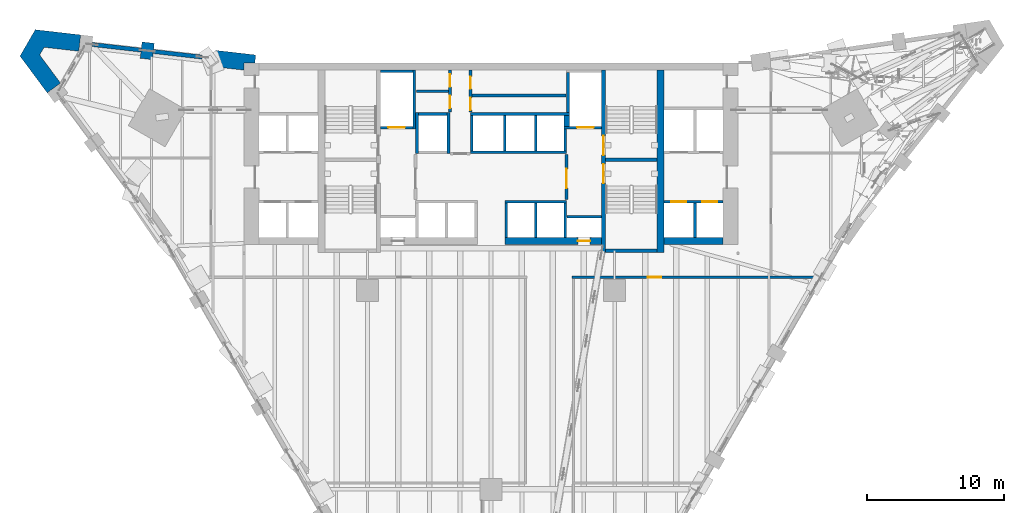
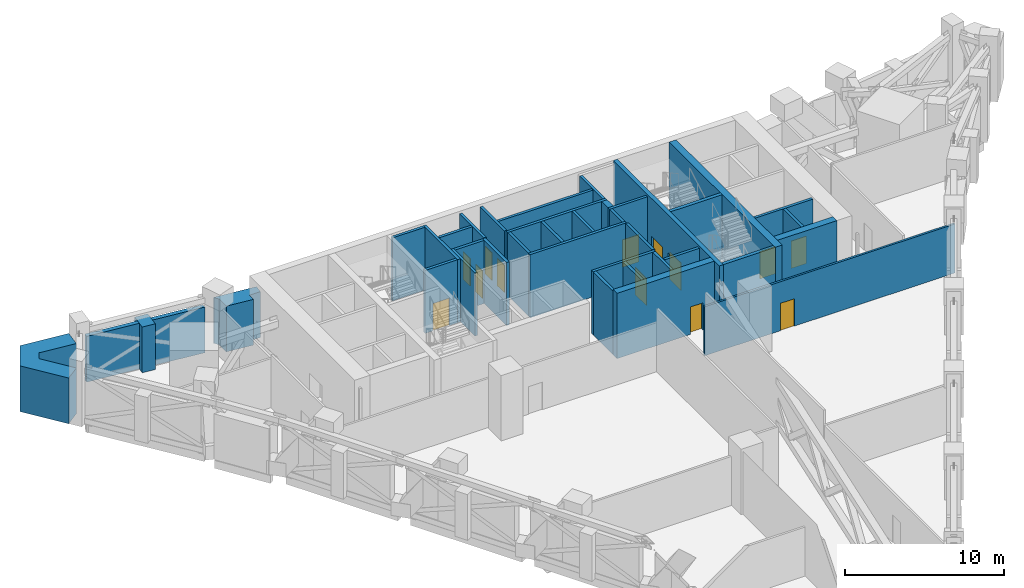
# One storey, part 11 of 22: 39 walls, 13 doors, 13 openings.
"""IFC4 building model written with IfcOpenShell, lengths in metres."""

from ifc_helpers import new_model, si_unit, direction, frame, frame_2d, origin, place, context, subcontext, project, spatial, polyline, rectangle, outline, extrude, material, layer, layer_set, type_object, element, fill, save


model = new_model("IFC4")

# Units and contexts
model_context = context("Model", 3, precision=1e-05, world=origin(), true_north=direction((0.0, 1.0)))
body_context = subcontext(model_context, "Body", "Model", "MODEL_VIEW")
ifc_project = project(units=[si_unit("LENGTHUNIT", "METRE"), si_unit("AREAUNIT", "SQUARE_METRE"), si_unit("VOLUMEUNIT", "CUBIC_METRE"), si_unit("PLANEANGLEUNIT", "RADIAN"), si_unit("MASSUNIT", "GRAM", prefix="KILO")], contexts=[model_context])

# Site, building, storey
site_placement = place(None, origin())
site = spatial("IfcSite", under=ifc_project, at=site_placement, CompositionType="ELEMENT")
building_placement = place(site_placement, origin())
building = spatial("IfcBuilding", under=site, at=building_placement, Name="Calabash Gate Tower", CompositionType="ELEMENT")
storey_placement = place(building_placement, frame((0.0, 0.0, 86.800048828125)))
storey = spatial("IfcBuildingStorey", under=building, at=storey_placement, Name="L18", CompositionType="ELEMENT", Elevation=86.800048828125)

# Walls
ifc_material_1 = material(Name="Terracotta brick masonry, exposed face", Category="masonry")
ifc_layer_1 = layer(ifc_material_1, 1.199951171875)
ifc_layer_set_1 = layer_set([ifc_layer_1], Name="Brick end wall 1200")
wall_type_1 = type_object("IfcWallType", Name="Brick end wall 1200", PredefinedType="SOLIDWALL", material=ifc_layer_set_1)
wall_1_placement = place(storey_placement, frame((-25.1162109375, 19.35400390625, 0.0), z_axis=(0.0, 0.0, 1.0), x_axis=(0.113735952551, 0.993511013073, 0.0)))
element("IfcWall", 1, at=wall_1_placement, inside=storey, type_object=wall_type_1, Name="Brick pier L18 wedge7.1", PredefinedType="SOLIDWALL", context=body_context, shape_type="SweptSolid", body=[
    extrude(rectangle(XDim=1.199951171875, YDim=0.89990234375, at=frame_2d((0.60009765625, 0.0))), origin(), (0.0, 0.0, 1.0), 3.5),
])
wall_2_placement = place(storey_placement, origin())
element("IfcWall", 2, at=wall_2_placement, inside=storey, type_object=wall_type_1, Name="Brick end wall L18 5", PredefinedType="SOLIDWALL", context=body_context, shape_type="SweptSolid", body=[
    extrude(outline(polyline([(-19.85302734375, 18.751220703125), (-18.0, 18.5390625), (-18.0, 19.052490234375), (-17.2099609375, 19.052490234375), (-17.141845703125, 19.648681640625), (-20.061767578125, 19.983154296875), (-20.0654296875, 19.951416015625), (-19.85302734375, 19.653076171875), (-19.85302734375, 18.751220703125)])), origin(), (0.0, 0.0, 1.0), 3.5),
])
wall_3_placement = place(storey_placement, origin())
element("IfcWall", 3, at=wall_3_placement, inside=storey, type_object=wall_type_1, Name="Brick end wall L18 6", PredefinedType="SOLIDWALL", context=body_context, shape_type="SweptSolid", body=[
    extrude(outline(polyline([(-29.8974609375, 21.109375), (-33.208740234375, 21.48876953125), (-34.319091796875, 19.5654296875), (-32.335205078125, 16.887451171875), (-31.370849609375, 17.601806640625), (-32.88623046875, 19.647216796875), (-32.56298828125, 20.206787109375), (-30.034423828125, 19.917236328125), (-29.8974609375, 21.109375)])), origin(), (0.0, 0.0, 1.0), 3.5),
])
ifc_material_2 = material(Name="Concrete C80/95", Category="concrete")
ifc_layer_2 = layer(ifc_material_2, 0.25)
ifc_layer_set_2 = layer_set([ifc_layer_2], Name="Core wall 250 Concrete C80/95")
wall_type_2 = type_object("IfcWallType", Name="Core wall 250 Concrete C80/95", PredefinedType="SHEAR", material=ifc_layer_set_2)
for number, where, z_axis, x_axis, name in (
    (4, (8.35009765625, 12.027587890625, 0.0), (0.0, 0.0, 1.0), (1.0, 0.0, 0.0), "Core wall Z1-MIDE L18"),
    (5, (8.35009765625, 5.377685546875, 0.0), (0.0, 0.0, 1.0), (1.0, 0.0, 0.0), "Core wall Z1-SSE L18"),
):
    element("IfcWall", number, at=place(storey_placement, frame(where, z_axis=z_axis, x_axis=x_axis)), inside=storey, type_object=wall_type_2, Name=name, PredefinedType="SHEAR", context=body_context, shape_type="SweptSolid", body=[
        extrude(rectangle(XDim=3.75, YDim=0.25, at=frame_2d((1.875, 0.0))), origin(), (0.0, 0.0, 1.0), 5.0),
    ])

# Wall, openings, doors
ifc_material_3 = material(Name="Concrete C80/95", Category="concrete")
ifc_layer_3 = layer(ifc_material_3, 0.300048828125)
ifc_layer_set_3 = layer_set([ifc_layer_3], Name="Core wall 300 Concrete C80/95")
wall_type_3 = type_object("IfcWallType", Name="Core wall 300 Concrete C80/95", PredefinedType="SHEAR", material=ifc_layer_set_3)
wall_4_placement = place(storey_placement, frame((8.199951171875, 5.252685546875, 0.0), z_axis=(0.0, 0.0, 1.0), x_axis=(0.0, 1.0, 0.0)))
wall_4 = element("IfcWall", 6, at=wall_4_placement, inside=storey, type_object=wall_type_3, Name="Core wall Z1-PARTE L18", PredefinedType="SHEAR", context=body_context, shape_type="SweptSolid", body=[
    extrude(rectangle(XDim=13.2998046875, YDim=0.300048828125, at=frame_2d((6.64990234375, 0.0))), origin(), (0.0, 0.0, 1.0), 5.0),
])
opening_1_placement = place(wall_4_placement, frame((7.10009765625, 0.0, 0.0)))
opening_1 = element("IfcOpeningElement", 7, at=opening_1_placement, cuts=wall_4, Name="Opening L18-003", PredefinedType="OPENING", context=body_context, shape_type="SweptSolid", body=[
    extrude(rectangle(XDim=1.39990234375, YDim=2.10009765625, at=frame_2d((0.699951171875, 1.050048828125))), frame((0.0, 0.159912109375, 0.0), z_axis=(0.0, -1.0, 0.0), x_axis=(1.0, 0.0, 0.0)), (0.0, 0.0, 1.0), 0.320068359375),
])
opening_2_placement = place(wall_4_placement, frame((5.050048828125, 0.0, 0.0)))
opening_2 = element("IfcOpeningElement", 8, at=opening_2_placement, cuts=wall_4, Name="Opening L18-004", PredefinedType="OPENING", context=body_context, shape_type="SweptSolid", body=[
    extrude(rectangle(XDim=1.39990234375, YDim=2.10009765625, at=frame_2d((0.699951171875, 1.050048828125))), frame((0.0, 0.159912109375, 0.0), z_axis=(0.0, -1.0, 0.0), x_axis=(1.0, 0.0, 0.0)), (0.0, 0.0, 1.0), 0.320068359375),
])
ifc_material_4 = material(Name="Steel fire door set with fire-resisting glazing", Category="steel")
door_type_1 = type_object("IfcDoorType", Name="Fire door D05 1400x2100 FD90", OperationType="NOTDEFINED", PredefinedType="DOOR", material=ifc_material_4)
door_1_placement = place(opening_1_placement, origin())
door_1 = element("IfcDoor", 9, at=door_1_placement, inside=storey, type_object=door_type_1, Name="Exit stair door ST3", OperationType="SINGLE_SWING_RIGHT", OverallHeight=2.10009765625, OverallWidth=1.39990234375, PredefinedType="DOOR", context=body_context, shape_type="SweptSolid", body=[
    extrude(rectangle(XDim=1.39990234375, YDim=2.10009765625, at=frame_2d((0.699951171875, 1.050048828125))), frame((0.0, 0.02490234375, 0.0), z_axis=(0.0, -1.0, 0.0), x_axis=(1.0, 0.0, 0.0)), (0.0, 0.0, 1.0), 0.050048828125),
])
fill(opening_1, door_1)
door_2_placement = place(opening_2_placement, origin())
door_2 = element("IfcDoor", 10, at=door_2_placement, inside=storey, type_object=door_type_1, Name="Exit stair door ST4", OperationType="SINGLE_SWING_LEFT", OverallHeight=2.10009765625, OverallWidth=1.39990234375, PredefinedType="DOOR", context=body_context, shape_type="SweptSolid", body=[
    extrude(rectangle(XDim=1.39990234375, YDim=2.10009765625, at=frame_2d((0.699951171875, 1.050048828125))), frame((0.0, 0.02490234375, 0.0), z_axis=(0.0, -1.0, 0.0), x_axis=(1.0, 0.0, 0.0)), (0.0, 0.0, 1.0), 0.050048828125),
])
fill(opening_2, door_2)

# Wall
ifc_material_5 = material(Name="Concrete C80/95", Category="concrete")
ifc_layer_4 = layer(ifc_material_5, 0.5)
ifc_layer_set_4 = layer_set([ifc_layer_4], Name="Core wall 500 Concrete C80/95")
wall_type_4 = type_object("IfcWallType", Name="Core wall 500 Concrete C80/95", PredefinedType="SHEAR", material=ifc_layer_set_4)
wall_5_placement = place(storey_placement, frame((12.35009765625, 5.252685546875, 0.0), z_axis=(0.0, 0.0, 1.0), x_axis=(0.0, 1.0, 0.0)))
element("IfcWall", 11, at=wall_5_placement, inside=storey, type_object=wall_type_4, Name="Core wall Z1-COLE L18", PredefinedType="SHEAR", context=body_context, shape_type="SweptSolid", body=[
    extrude(rectangle(XDim=13.2998046875, YDim=0.5, at=frame_2d((6.64990234375, 0.0))), origin(), (0.0, 0.0, 1.0), 5.0),
])

# Wall, opening, door
wall_6_placement = place(storey_placement, frame((1.0, 6.1025390625, 0.0), z_axis=(0.0, 0.0, 1.0), x_axis=(1.0, 0.0, 0.0)))
wall_6 = element("IfcWall", 12, at=wall_6_placement, inside=storey, type_object=wall_type_4, Name="Core wall Z1-SB L18", PredefinedType="SHEAR", context=body_context, shape_type="SweptSolid", body=[
    extrude(rectangle(XDim=7.050048828125, YDim=0.5, at=frame_2d((3.52490234375, 0.0))), origin(), (0.0, 0.0, 1.0), 5.0),
])
opening_3_placement = place(wall_6_placement, frame((5.324951171875, 0.0, 0.0)))
opening_3 = element("IfcOpeningElement", 13, at=opening_3_placement, cuts=wall_6, Name="Opening L18-013", PredefinedType="OPENING", context=body_context, shape_type="SweptSolid", body=[
    extrude(rectangle(XDim=0.89990234375, YDim=2.10009765625, at=frame_2d((0.449951171875, 1.050048828125))), frame((0.0, 0.260009765625, 0.0), z_axis=(0.0, -1.0, 0.0), x_axis=(1.0, 0.0, 0.0)), (0.0, 0.0, 1.0), 0.52001953125),
])
ifc_material_6 = material(Name="Steel fire door set with fire-resisting glazing", Category="steel")
door_type_2 = type_object("IfcDoorType", Name="Fire door D07 900x2100 FD90", OperationType="NOTDEFINED", PredefinedType="DOOR", material=ifc_material_6)
door_3_placement = place(opening_3_placement, origin())
door_3 = element("IfcDoor", 14, at=door_3_placement, inside=storey, type_object=door_type_2, Name="Mechanical Riser E door", OperationType="SINGLE_SWING_RIGHT", OverallHeight=2.10009765625, OverallWidth=0.89990234375, PredefinedType="DOOR", context=body_context, shape_type="SweptSolid", body=[
    extrude(rectangle(XDim=0.89990234375, YDim=2.10009765625, at=frame_2d((0.449951171875, 1.050048828125))), frame((0.0, 0.02490234375, 0.0), z_axis=(0.0, -1.0, 0.0), x_axis=(1.0, 0.0, 0.0)), (0.0, 0.0, 1.0), 0.050048828125),
])
fill(opening_3, door_3)

# Wall
wall_7_placement = place(storey_placement, frame((12.60009765625, 6.1025390625, 0.0), z_axis=(0.0, 0.0, 1.0), x_axis=(1.0, 0.0, 0.0)))
element("IfcWall", 15, at=wall_7_placement, inside=storey, type_object=wall_type_4, Name="Core wall Z1-SE L18", PredefinedType="SHEAR", context=body_context, shape_type="SweptSolid", body=[
    extrude(rectangle(XDim=4.2998046875, YDim=0.5, at=frame_2d((2.14990234375, 0.0))), origin(), (0.0, 0.0, 1.0), 5.0),
])

# Wall, opening, door
ifc_material_7 = material(Name="Gypsum board on steel studs, mineral wool", Category="steel")
ifc_layer_5 = layer(ifc_material_7, 0.14990234375)
ifc_layer_set_5 = layer_set([ifc_layer_5], Name="Partition 150 gypsum board")
wall_type_5 = type_object("IfcWallType", Name="Partition 150 gypsum board", PredefinedType="PARTITIONING", material=ifc_layer_set_5)
wall_8_placement = place(storey_placement, frame((5.89501953125, 3.45263671875, 0.0), z_axis=(0.0, 0.0, 1.0), x_axis=(1.0, 0.0, 0.0)))
wall_8 = element("IfcWall", 16, at=wall_8_placement, inside=storey, type_object=wall_type_5, Name="Partition", PredefinedType="PARTITIONING", context=body_context, shape_type="SweptSolid", body=[
    extrude(rectangle(XDim=18.118408203125, YDim=0.14990234375, at=frame_2d((9.05908203125, 0.0))), origin(), (0.0, 0.0, 1.0), 3.751953125),
])
opening_4_placement = place(wall_8_placement, frame((5.5048828125, 0.0, 0.0)))
opening_4 = element("IfcOpeningElement", 17, at=opening_4_placement, cuts=wall_8, Name="Opening L18-025", PredefinedType="OPENING", context=body_context, shape_type="SweptSolid", body=[
    extrude(rectangle(XDim=1.0, YDim=2.10009765625, at=frame_2d((0.5, 1.050048828125))), frame((0.0, 0.0849609375, 0.0), z_axis=(0.0, -1.0, 0.0), x_axis=(1.0, 0.0, 0.0)), (0.0, 0.0, 1.0), 0.169921875),
])
ifc_material_8 = material(Name="Steel fire door set with fire-resisting glazing", Category="steel")
door_type_3 = type_object("IfcDoorType", Name="Fire door D12 1000x2100 FD90", OperationType="NOTDEFINED", PredefinedType="DOOR", material=ifc_material_8)
door_4_placement = place(opening_4_placement, origin())
door_4 = element("IfcDoor", 18, at=door_4_placement, inside=storey, type_object=door_type_3, Name="Refuge Area E door", OperationType="SINGLE_SWING_RIGHT", OverallHeight=2.10009765625, OverallWidth=1.0, PredefinedType="DOOR", context=body_context, shape_type="SweptSolid", body=[
    extrude(rectangle(XDim=1.0, YDim=2.10009765625, at=frame_2d((0.5, 1.050048828125))), frame((0.0, 0.02490234375, 0.0), z_axis=(0.0, -1.0, 0.0), x_axis=(1.0, 0.0, 0.0)), (0.0, 0.0, 1.0), 0.050048828125),
])
fill(opening_4, door_4)

# Walls
ifc_material_9 = material(Name="Concrete C40/50", Category="concrete")
ifc_layer_6 = layer(ifc_material_9, 0.199951171875)
ifc_layer_set_6 = layer_set([ifc_layer_6], Name="Shaft wall 200 Concrete C40/50")
wall_type_6 = type_object("IfcWallType", Name="Shaft wall 200 Concrete C40/50", PredefinedType="SOLIDWALL", material=ifc_layer_set_6)
for number, where, z_axis, x_axis, name in (
    (19, (1.10009765625, 6.3525390625, 0.0), (0.0, 0.0, 1.0), (0.0, 1.0, 0.0), "Shaft wall"),
    (20, (3.25, 6.3525390625, 0.0), (0.0, 0.0, 1.0), (0.0, 1.0, 0.0), "Shaft wall"),
    (21, (5.39990234375, 6.3525390625, 0.0), (0.0, 0.0, 1.0), (0.0, 1.0, 0.0), "Shaft wall"),
    (22, (14.85009765625, 6.3525390625, 0.0), (0.0, 0.0, 1.0), (0.0, 1.0, 0.0), "Shaft wall"),
    (23, (5.550048828125, 7.8525390625, 0.0), (0.0, 0.0, 1.0), (1.0, 0.0, 0.0), "Shaft wall"),
):
    element("IfcWall", number, at=place(storey_placement, frame(where, z_axis=z_axis, x_axis=x_axis)), inside=storey, type_object=wall_type_6, Name=name, PredefinedType="SOLIDWALL", context=body_context, shape_type="SweptSolid", body=[
        extrude(rectangle(XDim=2.5, YDim=0.199951171875, at=frame_2d((1.25, 0.0))), origin(), (0.0, 0.0, 1.0), 4.829833984375),
    ])
wall_9_placement = place(storey_placement, frame((1.0, 8.95263671875, 0.0), z_axis=(0.0, 0.0, 1.0), x_axis=(1.0, 0.0, 0.0)))
element("IfcWall", 24, at=wall_9_placement, inside=storey, type_object=wall_type_6, Name="Shaft wall", PredefinedType="SOLIDWALL", context=body_context, shape_type="SweptSolid", body=[
    extrude(rectangle(XDim=4.5, YDim=0.199951171875, at=frame_2d((2.25, 0.0))), origin(), (0.0, 0.0, 1.0), 4.829833984375),
])

# Wall, openings, doors
wall_10_placement = place(storey_placement, frame((12.60009765625, 8.95263671875, 0.0), z_axis=(0.0, 0.0, 1.0), x_axis=(1.0, 0.0, 0.0)))
wall_10 = element("IfcWall", 25, at=wall_10_placement, inside=storey, type_object=wall_type_6, Name="Shaft wall", PredefinedType="SOLIDWALL", context=body_context, shape_type="SweptSolid", body=[
    extrude(rectangle(XDim=4.2998046875, YDim=0.199951171875, at=frame_2d((2.14990234375, 0.0))), origin(), (0.0, 0.0, 1.0), 4.829833984375),
])
opening_5_placement = place(wall_10_placement, frame((0.52490234375, 0.0, 0.0)))
opening_5 = element("IfcOpeningElement", 26, at=opening_5_placement, cuts=wall_10, Name="Opening LD-LR5", PredefinedType="OPENING", context=body_context, shape_type="SweptSolid", body=[
    extrude(rectangle(XDim=1.10009765625, YDim=2.10009765625, at=frame_2d((0.550048828125, 1.050048828125))), frame((0.0, 0.10986328125, 0.0), z_axis=(0.0, -1.0, 0.0), x_axis=(1.0, 0.0, 0.0)), (0.0, 0.0, 1.0), 0.219970703125),
])
opening_6_placement = place(wall_10_placement, frame((2.77490234375, 0.0, 0.0)))
opening_6 = element("IfcOpeningElement", 27, at=opening_6_placement, cuts=wall_10, Name="Opening LD-LR6", PredefinedType="OPENING", context=body_context, shape_type="SweptSolid", body=[
    extrude(rectangle(XDim=1.10009765625, YDim=2.10009765625, at=frame_2d((0.550048828125, 1.050048828125))), frame((0.0, 0.10986328125, 0.0), z_axis=(0.0, -1.0, 0.0), x_axis=(1.0, 0.0, 0.0)), (0.0, 0.0, 1.0), 0.219970703125),
])
ifc_material_10 = material(Name="Stainless steel sliding door leaves", Category="steel")
door_type_4 = type_object("IfcDoorType", Name="Lift landing door LS1 1100x2100 FD90", OperationType="DOUBLE_DOOR_SLIDING", PredefinedType="DOOR", material=ifc_material_10)
door_5_placement = place(opening_5_placement, origin())
door_5 = element("IfcDoor", 28, at=door_5_placement, inside=storey, type_object=door_type_4, Name="Lift landing door LR5", OperationType="DOUBLE_DOOR_SLIDING", OverallHeight=2.10009765625, OverallWidth=1.10009765625, PredefinedType="DOOR", context=body_context, shape_type="SweptSolid", body=[
    extrude(rectangle(XDim=1.10009765625, YDim=2.10009765625, at=frame_2d((0.550048828125, 1.050048828125))), frame((0.0, 0.02490234375, 0.0), z_axis=(0.0, -1.0, 0.0), x_axis=(1.0, 0.0, 0.0)), (0.0, 0.0, 1.0), 0.050048828125),
])
fill(opening_5, door_5)
door_6_placement = place(opening_6_placement, origin())
door_6 = element("IfcDoor", 29, at=door_6_placement, inside=storey, type_object=door_type_4, Name="Lift landing door LR6", OperationType="DOUBLE_DOOR_SLIDING", OverallHeight=2.10009765625, OverallWidth=1.10009765625, PredefinedType="DOOR", context=body_context, shape_type="SweptSolid", body=[
    extrude(rectangle(XDim=1.10009765625, YDim=2.10009765625, at=frame_2d((0.550048828125, 1.050048828125))), frame((0.0, 0.02490234375, 0.0), z_axis=(0.0, -1.0, 0.0), x_axis=(1.0, 0.0, 0.0)), (0.0, 0.0, 1.0), 0.050048828125),
])
fill(opening_6, door_6)

# Wall, opening, door
wall_11_placement = place(storey_placement, frame((5.5, 9.1025390625, 0.0), z_axis=(0.0, 0.0, 1.0), x_axis=(0.0, 1.0, 0.0)))
wall_11 = element("IfcWall", 30, at=wall_11_placement, inside=storey, type_object=wall_type_6, Name="Shaft wall", PredefinedType="SOLIDWALL", context=body_context, shape_type="SweptSolid", body=[
    extrude(rectangle(XDim=3.300048828125, YDim=0.199951171875, at=frame_2d((1.64990234375, 0.0))), origin(), (0.0, 0.0, 1.0), 4.829833984375),
])
opening_7_placement = place(wall_11_placement, frame((0.85009765625, 0.0, 0.0)))
opening_7 = element("IfcOpeningElement", 31, at=opening_7_placement, cuts=wall_11, Name="Opening L18-007", PredefinedType="OPENING", context=body_context, shape_type="SweptSolid", body=[
    extrude(rectangle(XDim=1.39990234375, YDim=2.10009765625, at=frame_2d((0.699951171875, 1.050048828125))), frame((0.0, 0.10986328125, 0.0), z_axis=(0.0, -1.0, 0.0), x_axis=(1.0, 0.0, 0.0)), (0.0, 0.0, 1.0), 0.219970703125),
])
door_7_placement = place(opening_7_placement, origin())
door_7 = element("IfcDoor", 32, at=door_7_placement, inside=storey, type_object=door_type_1, Name="Firefighting Lobby E door", OperationType="SINGLE_SWING_LEFT", OverallHeight=2.10009765625, OverallWidth=1.39990234375, PredefinedType="DOOR", context=body_context, shape_type="SweptSolid", body=[
    extrude(rectangle(XDim=1.39990234375, YDim=2.10009765625, at=frame_2d((0.699951171875, 1.050048828125))), frame((0.0, 0.02490234375, 0.0), z_axis=(0.0, -1.0, 0.0), x_axis=(1.0, 0.0, 0.0)), (0.0, 0.0, 1.0), 0.050048828125),
])
fill(opening_7, door_7)

# Walls
for number, where, z_axis, x_axis, name in (
    (33, (-5.39990234375, 12.45263671875, 0.0), (0.0, 0.0, 1.0), (0.0, 1.0, 0.0), "Shaft wall"),
    (34, (-3.10009765625, 12.45263671875, 0.0), (0.0, 0.0, 1.0), (0.0, 1.0, 0.0), "Shaft wall"),
):
    element("IfcWall", number, at=place(storey_placement, frame(where, z_axis=z_axis, x_axis=x_axis)), inside=storey, type_object=wall_type_6, Name=name, PredefinedType="SOLIDWALL", context=body_context, shape_type="SweptSolid", body=[
        extrude(rectangle(XDim=3.0, YDim=0.199951171875, at=frame_2d((1.5, 0.0))), origin(), (0.0, 0.0, 1.0), 4.829833984375),
    ])
wall_12_placement = place(storey_placement, frame((-1.5, 12.552490234375, 0.0), z_axis=(0.0, 0.0, 1.0), x_axis=(1.0, 0.0, 0.0)))
element("IfcWall", 35, at=wall_12_placement, inside=storey, type_object=wall_type_6, Name="Shaft wall", PredefinedType="SOLIDWALL", context=body_context, shape_type="SweptSolid", body=[
    extrude(rectangle(XDim=7.0, YDim=0.199951171875, at=frame_2d((3.5, 0.0))), origin(), (0.0, 0.0, 1.0), 4.829833984375),
])
for number, where, z_axis, x_axis, name in (
    (36, (-1.39990234375, 12.652587890625, 0.0), (0.0, 0.0, 1.0), (0.0, 1.0, 0.0), "Shaft wall"),
    (37, (1.0, 12.652587890625, 0.0), (0.0, 0.0, 1.0), (0.0, 1.0, 0.0), "Shaft wall"),
    (38, (3.25, 12.652587890625, 0.0), (0.0, 0.0, 1.0), (0.0, 1.0, 0.0), "Shaft wall"),
):
    element("IfcWall", number, at=place(storey_placement, frame(where, z_axis=z_axis, x_axis=x_axis)), inside=storey, type_object=wall_type_6, Name=name, PredefinedType="SOLIDWALL", context=body_context, shape_type="SweptSolid", body=[
        extrude(rectangle(XDim=2.60009765625, YDim=0.199951171875, at=frame_2d((1.300048828125, 0.0))), origin(), (0.0, 0.0, 1.0), 4.829833984375),
    ])
wall_13_placement = place(storey_placement, frame((5.39990234375, 12.652587890625, 0.0), z_axis=(0.0, 0.0, 1.0), x_axis=(0.0, 1.0, 0.0)))
element("IfcWall", 39, at=wall_13_placement, inside=storey, type_object=wall_type_6, Name="Shaft wall", PredefinedType="SOLIDWALL", context=body_context, shape_type="SweptSolid", body=[
    extrude(rectangle(XDim=1.60009765625, YDim=0.199951171875, at=frame_2d((0.800048828125, 0.0))), origin(), (0.0, 0.0, 1.0), 4.829833984375),
])

# Wall, opening, door
wall_14_placement = place(storey_placement, frame((-8.050048828125, 14.3525390625, 0.0), z_axis=(0.0, 0.0, 1.0), x_axis=(1.0, 0.0, 0.0)))
wall_14 = element("IfcWall", 40, at=wall_14_placement, inside=storey, type_object=wall_type_6, Name="Shaft wall", PredefinedType="SOLIDWALL", context=body_context, shape_type="SweptSolid", body=[
    extrude(rectangle(XDim=2.35009765625, YDim=0.199951171875, at=frame_2d((1.175048828125, 0.0))), origin(), (0.0, 0.0, 1.0), 4.829833984375),
])
opening_8_placement = place(wall_14_placement, frame((0.574951171875, 0.0, 0.0)))
opening_8 = element("IfcOpeningElement", 41, at=opening_8_placement, cuts=wall_14, Name="Opening LD-FF1", PredefinedType="OPENING", context=body_context, shape_type="SweptSolid", body=[
    extrude(rectangle(XDim=1.199951171875, YDim=2.10009765625, at=frame_2d((0.60009765625, 1.050048828125))), frame((0.0, 0.10986328125, 0.0), z_axis=(0.0, -1.0, 0.0), x_axis=(1.0, 0.0, 0.0)), (0.0, 0.0, 1.0), 0.219970703125),
])
ifc_material_11 = material(Name="Stainless steel sliding door leaves", Category="steel")
door_type_5 = type_object("IfcDoorType", Name="Lift landing door LS3 1200x2100 FD90", OperationType="DOUBLE_DOOR_SLIDING", PredefinedType="DOOR", material=ifc_material_11)
door_8_placement = place(opening_8_placement, origin())
door_8 = element("IfcDoor", 42, at=door_8_placement, inside=storey, type_object=door_type_5, Name="Lift landing door FF1", OperationType="DOUBLE_DOOR_SLIDING", OverallHeight=2.10009765625, OverallWidth=1.199951171875, PredefinedType="DOOR", context=body_context, shape_type="SweptSolid", body=[
    extrude(rectangle(XDim=1.199951171875, YDim=2.10009765625, at=frame_2d((0.60009765625, 1.050048828125))), frame((0.0, 0.02490234375, 0.0), z_axis=(0.0, -1.0, 0.0), x_axis=(1.0, 0.0, 0.0)), (0.0, 0.0, 1.0), 0.050048828125),
])
fill(opening_8, door_8)

# Wall
wall_15_placement = place(storey_placement, frame((-5.60009765625, 14.252685546875, 0.0), z_axis=(0.0, 0.0, 1.0), x_axis=(0.0, 1.0, 0.0)))
element("IfcWall", 43, at=wall_15_placement, inside=storey, type_object=wall_type_6, Name="Shaft wall", PredefinedType="SOLIDWALL", context=body_context, shape_type="SweptSolid", body=[
    extrude(rectangle(XDim=4.2998046875, YDim=0.199951171875, at=frame_2d((2.14990234375, 0.0))), origin(), (0.0, 0.0, 1.0), 4.829833984375),
])

# Wall, opening, door
wall_16_placement = place(storey_placement, frame((5.300048828125, 14.3525390625, 0.0), z_axis=(0.0, 0.0, 1.0), x_axis=(1.0, 0.0, 0.0)))
wall_16 = element("IfcWall", 44, at=wall_16_placement, inside=storey, type_object=wall_type_6, Name="Shaft wall", PredefinedType="SOLIDWALL", context=body_context, shape_type="SweptSolid", body=[
    extrude(rectangle(XDim=2.75, YDim=0.199951171875, at=frame_2d((1.375, 0.0))), origin(), (0.0, 0.0, 1.0), 4.829833984375),
])
opening_9_placement = place(wall_16_placement, frame((0.97509765625, 0.0, 0.0)))
opening_9 = element("IfcOpeningElement", 45, at=opening_9_placement, cuts=wall_16, Name="Opening LD-FF2", PredefinedType="OPENING", context=body_context, shape_type="SweptSolid", body=[
    extrude(rectangle(XDim=1.199951171875, YDim=2.10009765625, at=frame_2d((0.60009765625, 1.050048828125))), frame((0.0, 0.10986328125, 0.0), z_axis=(0.0, -1.0, 0.0), x_axis=(1.0, 0.0, 0.0)), (0.0, 0.0, 1.0), 0.219970703125),
])
door_9_placement = place(opening_9_placement, origin())
door_9 = element("IfcDoor", 46, at=door_9_placement, inside=storey, type_object=door_type_5, Name="Lift landing door FF2", OperationType="DOUBLE_DOOR_SLIDING", OverallHeight=2.10009765625, OverallWidth=1.199951171875, PredefinedType="DOOR", context=body_context, shape_type="SweptSolid", body=[
    extrude(rectangle(XDim=1.199951171875, YDim=2.10009765625, at=frame_2d((0.60009765625, 1.050048828125))), frame((0.0, 0.02490234375, 0.0), z_axis=(0.0, -1.0, 0.0), x_axis=(1.0, 0.0, 0.0)), (0.0, 0.0, 1.0), 0.050048828125),
])
fill(opening_9, door_9)

# Walls
wall_17_placement = place(storey_placement, frame((5.5, 14.45263671875, 0.0), z_axis=(0.0, 0.0, 1.0), x_axis=(0.0, 1.0, 0.0)))
element("IfcWall", 47, at=wall_17_placement, inside=storey, type_object=wall_type_6, Name="Shaft wall", PredefinedType="SOLIDWALL", context=body_context, shape_type="SweptSolid", body=[
    extrude(rectangle(XDim=0.800048828125, YDim=0.39990234375, at=frame_2d((0.39990234375, 0.0))), origin(), (0.0, 0.0, 1.0), 4.829833984375),
])
wall_18_placement = place(storey_placement, frame((-5.300048828125, 15.3525390625, 0.0), z_axis=(0.0, 0.0, 1.0), x_axis=(1.0, 0.0, 0.0)))
element("IfcWall", 48, at=wall_18_placement, inside=storey, type_object=wall_type_6, Name="Shaft wall", PredefinedType="SOLIDWALL", context=body_context, shape_type="SweptSolid", body=[
    extrude(rectangle(XDim=2.10009765625, YDim=0.199951171875, at=frame_2d((1.050048828125, 0.0))), origin(), (0.0, 0.0, 1.0), 4.829833984375),
])
wall_19_placement = place(storey_placement, frame((-1.5, 15.3525390625, 0.0), z_axis=(0.0, 0.0, 1.0), x_axis=(1.0, 0.0, 0.0)))
element("IfcWall", 49, at=wall_19_placement, inside=storey, type_object=wall_type_6, Name="Shaft wall", PredefinedType="SOLIDWALL", context=body_context, shape_type="SweptSolid", body=[
    extrude(rectangle(XDim=7.199951171875, YDim=0.199951171875, at=frame_2d((3.60009765625, 0.0))), origin(), (0.0, 0.0, 1.0), 4.829833984375),
])
wall_20_placement = place(storey_placement, frame((5.60009765625, 15.45263671875, 0.0), z_axis=(0.0, 0.0, 1.0), x_axis=(0.0, 1.0, 0.0)))
element("IfcWall", 50, at=wall_20_placement, inside=storey, type_object=wall_type_6, Name="Shaft wall", PredefinedType="SOLIDWALL", context=body_context, shape_type="SweptSolid", body=[
    extrude(rectangle(XDim=2.89990234375, YDim=0.199951171875, at=frame_2d((1.449951171875, 0.0))), origin(), (0.0, 0.0, 1.0), 4.829833984375),
])

# Wall, openings, doors
wall_21_placement = place(storey_placement, frame((-3.0, 15.502685546875, 0.0), z_axis=(0.0, 0.0, 1.0), x_axis=(0.0, 1.0, 0.0)))
wall_21 = element("IfcWall", 51, at=wall_21_placement, inside=storey, type_object=wall_type_6, Name="Shaft wall", PredefinedType="SOLIDWALL", context=body_context, shape_type="SweptSolid", body=[
    extrude(rectangle(XDim=3.0498046875, YDim=0.199951171875, at=frame_2d((1.52490234375, 0.0))), origin(), (0.0, 0.0, 1.0), 4.829833984375),
])
opening_10_placement = place(wall_21_placement, frame((0.27490234375, 0.0, 0.0)))
opening_10 = element("IfcOpeningElement", 52, at=opening_10_placement, cuts=wall_21, Name="Opening L18-008", PredefinedType="OPENING", context=body_context, shape_type="SweptSolid", body=[
    extrude(rectangle(XDim=0.89990234375, YDim=2.10009765625, at=frame_2d((0.449951171875, 1.050048828125))), frame((0.0, 0.10986328125, 0.0), z_axis=(0.0, -1.0, 0.0), x_axis=(1.0, 0.0, 0.0)), (0.0, 0.0, 1.0), 0.219970703125),
])
opening_11_placement = place(wall_21_placement, frame((1.824951171875, 0.0, 0.0)))
opening_11 = element("IfcOpeningElement", 53, at=opening_11_placement, cuts=wall_21, Name="Opening L18-009", PredefinedType="OPENING", context=body_context, shape_type="SweptSolid", body=[
    extrude(rectangle(XDim=0.89990234375, YDim=2.10009765625, at=frame_2d((0.449951171875, 1.050048828125))), frame((0.0, 0.10986328125, 0.0), z_axis=(0.0, -1.0, 0.0), x_axis=(1.0, 0.0, 0.0)), (0.0, 0.0, 1.0), 0.219970703125),
])
ifc_material_12 = material(Name="Steel fire door set with fire-resisting glazing", Category="steel")
door_type_6 = type_object("IfcDoorType", Name="Fire door D06 900x2100 FD60", OperationType="NOTDEFINED", PredefinedType="DOOR", material=ifc_material_12)
door_10_placement = place(opening_10_placement, origin())
door_10 = element("IfcDoor", 54, at=door_10_placement, inside=storey, type_object=door_type_6, Name="Plant UPS Room door", OperationType="SINGLE_SWING_LEFT", OverallHeight=2.10009765625, OverallWidth=0.89990234375, PredefinedType="DOOR", context=body_context, shape_type="SweptSolid", body=[
    extrude(rectangle(XDim=0.89990234375, YDim=2.10009765625, at=frame_2d((0.449951171875, 1.050048828125))), frame((0.0, 0.02490234375, 0.0), z_axis=(0.0, -1.0, 0.0), x_axis=(1.0, 0.0, 0.0)), (0.0, 0.0, 1.0), 0.050048828125),
])
fill(opening_10, door_10)
door_11_placement = place(opening_11_placement, origin())
door_11 = element("IfcDoor", 55, at=door_11_placement, inside=storey, type_object=door_type_6, Name="Water Tank Room door", OperationType="SINGLE_SWING_LEFT", OverallHeight=2.10009765625, OverallWidth=0.89990234375, PredefinedType="DOOR", context=body_context, shape_type="SweptSolid", body=[
    extrude(rectangle(XDim=0.89990234375, YDim=2.10009765625, at=frame_2d((0.449951171875, 1.050048828125))), frame((0.0, 0.02490234375, 0.0), z_axis=(0.0, -1.0, 0.0), x_axis=(1.0, 0.0, 0.0)), (0.0, 0.0, 1.0), 0.050048828125),
])
fill(opening_11, door_11)

wall_22_placement = place(storey_placement, frame((-1.5, 15.502685546875, 0.0), z_axis=(0.0, 0.0, 1.0), x_axis=(0.0, 1.0, 0.0)))
wall_22 = element("IfcWall", 56, at=wall_22_placement, inside=storey, type_object=wall_type_6, Name="Shaft wall", PredefinedType="SOLIDWALL", context=body_context, shape_type="SweptSolid", body=[
    extrude(rectangle(XDim=3.0498046875, YDim=0.199951171875, at=frame_2d((1.52490234375, 0.0))), origin(), (0.0, 0.0, 1.0), 4.829833984375),
])
opening_12_placement = place(wall_22_placement, frame((0.1201171875, 0.0, 0.0)))
opening_12 = element("IfcOpeningElement", 57, at=opening_12_placement, cuts=wall_22, Name="Opening L18-010", PredefinedType="OPENING", context=body_context, shape_type="SweptSolid", body=[
    extrude(rectangle(XDim=0.89990234375, YDim=2.10009765625, at=frame_2d((0.449951171875, 1.050048828125))), frame((0.0, 0.10986328125, 0.0), z_axis=(0.0, -1.0, 0.0), x_axis=(1.0, 0.0, 0.0)), (0.0, 0.0, 1.0), 0.219970703125),
])
opening_13_placement = place(wall_22_placement, frame((1.669921875, 0.0, 0.0)))
opening_13 = element("IfcOpeningElement", 58, at=opening_13_placement, cuts=wall_22, Name="Opening L18-011", PredefinedType="OPENING", context=body_context, shape_type="SweptSolid", body=[
    extrude(rectangle(XDim=0.89990234375, YDim=2.10009765625, at=frame_2d((0.449951171875, 1.050048828125))), frame((0.0, 0.10986328125, 0.0), z_axis=(0.0, -1.0, 0.0), x_axis=(1.0, 0.0, 0.0)), (0.0, 0.0, 1.0), 0.219970703125),
])
door_12_placement = place(opening_12_placement, origin())
door_12 = element("IfcDoor", 59, at=door_12_placement, inside=storey, type_object=door_type_6, Name="Electrical Switch Room door", OperationType="SINGLE_SWING_LEFT", OverallHeight=2.10009765625, OverallWidth=0.89990234375, PredefinedType="DOOR", context=body_context, shape_type="SweptSolid", body=[
    extrude(rectangle(XDim=0.89990234375, YDim=2.10009765625, at=frame_2d((0.449951171875, 1.050048828125))), frame((0.0, 0.02490234375, 0.0), z_axis=(0.0, -1.0, 0.0), x_axis=(1.0, 0.0, 0.0)), (0.0, 0.0, 1.0), 0.050048828125),
])
fill(opening_12, door_12)
door_13_placement = place(opening_13_placement, origin())
door_13 = element("IfcDoor", 60, at=door_13_placement, inside=storey, type_object=door_type_6, Name="HV Transformer Room door", OperationType="SINGLE_SWING_LEFT", OverallHeight=2.10009765625, OverallWidth=0.89990234375, PredefinedType="DOOR", context=body_context, shape_type="SweptSolid", body=[
    extrude(rectangle(XDim=0.89990234375, YDim=2.10009765625, at=frame_2d((0.449951171875, 1.050048828125))), frame((0.0, 0.02490234375, 0.0), z_axis=(0.0, -1.0, 0.0), x_axis=(1.0, 0.0, 0.0)), (0.0, 0.0, 1.0), 0.050048828125),
])
fill(opening_13, door_13)

# Walls
wall_23_placement = place(storey_placement, frame((-1.39990234375, 16.692626953125, 0.0), z_axis=(0.0, 0.0, 1.0), x_axis=(1.0, 0.0, 0.0)))
element("IfcWall", 61, at=wall_23_placement, inside=storey, type_object=wall_type_6, Name="Shaft wall", PredefinedType="SOLIDWALL", context=body_context, shape_type="SweptSolid", body=[
    extrude(rectangle(XDim=6.849853515625, YDim=0.199951171875, at=frame_2d((3.4248046875, 0.0))), origin(), (0.0, 0.0, 1.0), 4.829833984375),
])
wall_24_placement = place(storey_placement, frame((-5.449951171875, 17.002685546875, 0.0), z_axis=(0.0, 0.0, 1.0), x_axis=(1.0, 0.0, 0.0)))
element("IfcWall", 62, at=wall_24_placement, inside=storey, type_object=wall_type_6, Name="Shaft wall", PredefinedType="SOLIDWALL", context=body_context, shape_type="SweptSolid", body=[
    extrude(rectangle(XDim=2.349853515625, YDim=0.199951171875, at=frame_2d((1.1748046875, 0.0))), origin(), (0.0, 0.0, 1.0), 4.829833984375),
])
wall_25_placement = place(storey_placement, frame((-8.050048828125, 18.45263671875, 0.0), z_axis=(0.0, 0.0, 1.0), x_axis=(1.0, 0.0, 0.0)))
element("IfcWall", 63, at=wall_25_placement, inside=storey, type_object=wall_type_6, Name="Shaft wall", PredefinedType="SOLIDWALL", context=body_context, shape_type="SweptSolid", body=[
    extrude(rectangle(XDim=2.35009765625, YDim=0.199951171875, at=frame_2d((1.175048828125, 0.0))), origin(), (0.0, 0.0, 1.0), 4.829833984375),
])
ifc_material_13 = material(Name="Terracotta louvre blades in an aluminium frame", Category="masonry")
ifc_layer_7 = layer(ifc_material_13, 0.300048828125)
ifc_layer_set_7 = layer_set([ifc_layer_7], Name="Terracotta louvre wall 300")
wall_type_7 = type_object("IfcWallType", Name="Terracotta louvre wall 300", PredefinedType="ELEMENTEDWALL", material=ifc_layer_set_7)
wall_26_placement = place(storey_placement, origin())
element("IfcWall", 64, at=wall_26_placement, inside=storey, type_object=wall_type_7, Name="LOUVRE L18 wedge7.1", PredefinedType="ELEMENTEDWALL", context=body_context, shape_type="SweptSolid", body=[
    extrude(outline(polyline([(-24.617919921875, 19.75), (-21.06201171875, 19.3427734375), (-21.06201171875, 19.644775390625), (-24.583740234375, 20.048095703125), (-24.617919921875, 19.75)])), origin(), (0.0, 0.0, 1.0), 3.5),
])
wall_27_placement = place(storey_placement, frame((-25.4951171875, 20.00146484375, 0.0), z_axis=(0.0, 0.0, 1.0), x_axis=(-0.993511890309, 0.113728289423, 0.0)))
element("IfcWall", 65, at=wall_27_placement, inside=storey, type_object=wall_type_7, Name="LOUVRE L18 wedge7.2", PredefinedType="ELEMENTEDWALL", context=body_context, shape_type="SweptSolid", body=[
    extrude(rectangle(XDim=3.60009765625, YDim=0.300048828125, at=frame_2d((1.800048828125, 0.0))), origin(), (0.0, 0.0, 1.0), 3.5),
])

save(model, "model.ifc")
